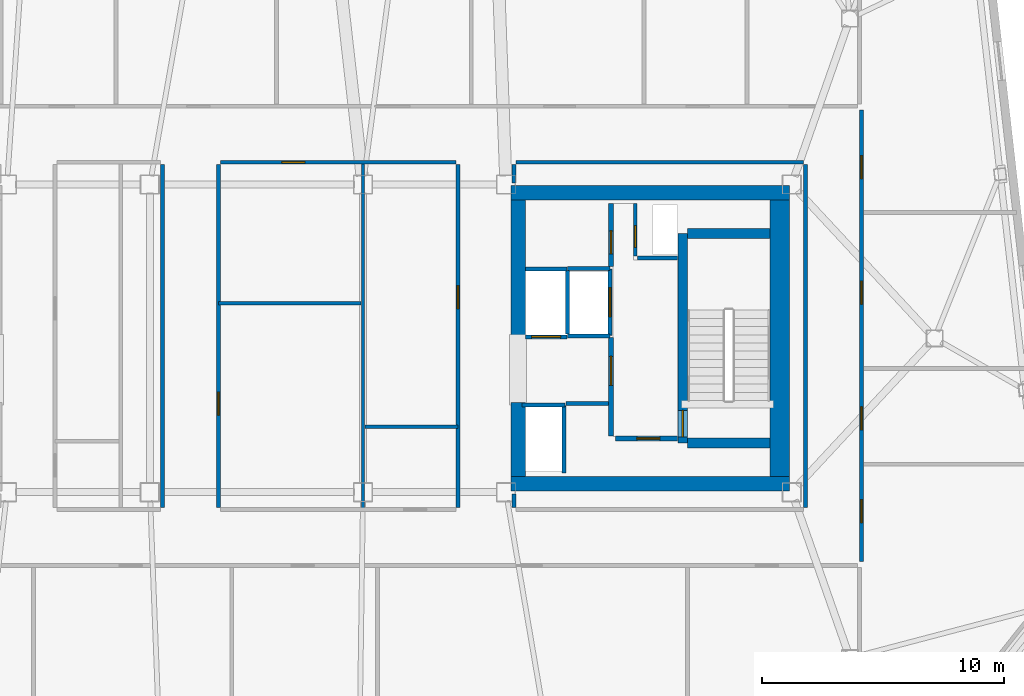
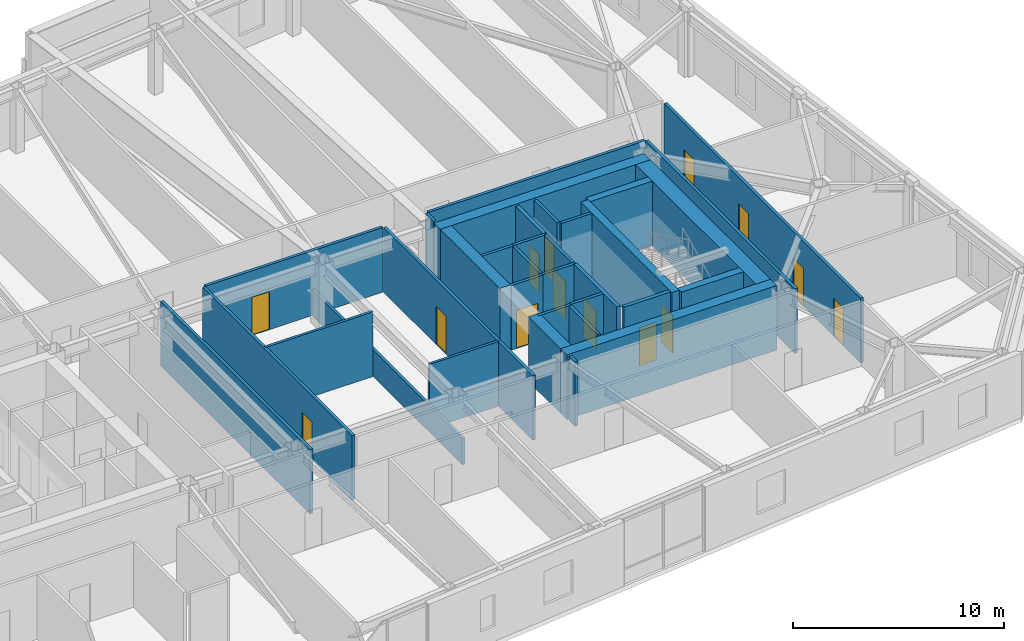
# One storey, part 14 of 19: 34 walls, 14 doors, 14 openings.
"""IFC4 building model written with IfcOpenShell, lengths in metres."""

import ifcopenshell
import ifcopenshell.guid

model = None  # the IFC model being written
_history = None  # IfcOwnerHistory: only IFC2X3 demands one
_inside = {}  # id of a spatial element -> (the spatial element, [elements in it])
_under = {}  # id of a project, library or spatial element -> (it, [spatial elements below it])
_declared = {}  # id of a project -> (the project, [libraries it declares])
_typed = {}  # id of a type object -> (the type object, [elements of that type])
_made_of = {}  # id of a material, layer set ... -> (it, [elements and type objects made of it])


def new_model(schema):
    """Start an empty IFC model of exactly this schema.

    Asked for "IFC4X3", IfcOpenShell would pick the latest addendum, in which some entities
    have other attributes; the version numbers below select the first issue.
    IFC2X3 requires an IfcOwnerHistory on every rooted entity: one is made here for all.
    """
    global model, _history
    if schema == "IFC4X3":
        model = ifcopenshell.file(schema_version=(4, 3, 0, 0))
    else:
        model = ifcopenshell.file(schema=schema)
    _inside.clear()
    _under.clear()
    _declared.clear()
    _typed.clear()
    _made_of.clear()
    _history = None
    if model.schema == "IFC2X3":
        org = make("IfcOrganization", Name="unknown")
        user = make(
            "IfcPersonAndOrganization",
            ThePerson=make("IfcPerson", FamilyName="unknown"),
            TheOrganization=org,
        )
        app = make(
            "IfcApplication",
            ApplicationDeveloper=org,
            Version="unknown",
            ApplicationFullName="unknown",
            ApplicationIdentifier="unknown",
        )
        _history = make(
            "IfcOwnerHistory",
            OwningUser=user,
            OwningApplication=app,
            ChangeAction="ADDED",
            CreationDate=0,
        )
    return model


def make(cls, **values):
    """One entity of the class cls with the attributes given. An attribute that is None is left unset."""
    return model.create_entity(
        cls, **{name: value for name, value in values.items() if value is not None}
    )


def rooted(cls, **values):
    """An entity with a GlobalId (a new one), such as an element, a storey or a relation."""
    return make(cls, GlobalId=ifcopenshell.guid.new(), OwnerHistory=_history, **values)


def si_unit(unit_type, name, prefix=None):
    """IfcSIUnit, for example si_unit("LENGTHUNIT", "METRE", prefix="MILLI")."""
    return make("IfcSIUnit", UnitType=unit_type, Prefix=prefix, Name=name)


def assignment(units):
    """IfcUnitAssignment: the units of a project."""
    return None if units is None else make("IfcUnitAssignment", Units=units)


def point(xyz):
    """IfcCartesianPoint."""
    return None if xyz is None else make("IfcCartesianPoint", Coordinates=xyz)


def direction(xyz):
    """IfcDirection."""
    return None if xyz is None else make("IfcDirection", DirectionRatios=xyz)


def frame(location, z_axis=None, x_axis=None):
    """IfcAxis2Placement3D, a coordinate frame: its origin and axes. An axis left out is left unset."""
    return make(
        "IfcAxis2Placement3D",
        Location=point(location),
        Axis=direction(z_axis),
        RefDirection=direction(x_axis),
    )


def frame_2d(location, x_axis=None):
    """IfcAxis2Placement2D, a coordinate frame in the plane: its origin and x axis."""
    return make(
        "IfcAxis2Placement2D", Location=point(location), RefDirection=direction(x_axis)
    )


def origin():
    """The frame at (0, 0, 0) with its axes left unset."""
    return frame((0.0, 0.0, 0.0))


def place(relative_to, where):
    """IfcLocalPlacement: puts the frame where relative to a parent placement (None: the world)."""
    return make(
        "IfcLocalPlacement", PlacementRelTo=relative_to, RelativePlacement=where
    )


def context(
    kind, dimensions, precision=None, world=None, true_north=None, identifier=None
):
    """IfcGeometricRepresentationContext, for example the 3D "Model" context."""
    return make(
        "IfcGeometricRepresentationContext",
        ContextIdentifier=identifier,
        ContextType=kind,
        CoordinateSpaceDimension=dimensions,
        Precision=precision,
        WorldCoordinateSystem=world,
        TrueNorth=true_north,
    )


def subcontext(parent, identifier, kind, view, scale=None):
    """IfcGeometricRepresentationSubContext, for example "Body" below "Model"."""
    return make(
        "IfcGeometricRepresentationSubContext",
        ContextIdentifier=identifier,
        ContextType=kind,
        ParentContext=parent,
        TargetScale=scale,
        TargetView=view,
    )


def project(units=None, contexts=None):
    """IfcProject with its units and contexts."""
    return rooted(
        "IfcProject",
        Name="project",
        RepresentationContexts=contexts,
        UnitsInContext=assignment(units),
    )


def spatial(cls, under=None, at=None, **own):
    """A site, building, storey or space (cls), placed at a placement, below another one or the project."""
    s = rooted(cls, ObjectPlacement=at, **own)
    if under is not None:
        _under.setdefault(under.id(), (under, []))[1].append(s)
    return s


def profile(cls, at=None, kind="AREA", **sizes):
    """A parametric profile (cls). Its sizes go by their IFC names, for example OverallWidth=200.0."""
    return make(cls, ProfileType=kind, Position=at, **sizes)


def rectangle(**sizes):
    """IfcRectangleProfileDef."""
    return profile("IfcRectangleProfileDef", **sizes)


def extrude(swept, where, along, depth):
    """IfcExtrudedAreaSolid: the profile swept, set in the frame where, extruded along a direction by depth."""
    return make(
        "IfcExtrudedAreaSolid",
        SweptArea=swept,
        Position=where,
        ExtrudedDirection=direction(along),
        Depth=depth,
    )


def shape(context_of_items, identifier, shape_type, items):
    """IfcShapeRepresentation: the items that make up one representation, for example the "Body"."""
    return make(
        "IfcShapeRepresentation",
        ContextOfItems=context_of_items,
        RepresentationIdentifier=identifier,
        RepresentationType=shape_type,
        Items=items,
    )


def material(Name=None, Category=None):
    """IfcMaterial."""
    return make("IfcMaterial", Name=Name, Category=Category)


def layer(
    of_material, thickness, ventilated=None, Name=None, Category=None, Priority=None
):
    """IfcMaterialLayer: one layer of a wall or slab, of a material (None: an air gap)."""
    return make(
        "IfcMaterialLayer",
        Material=of_material,
        LayerThickness=thickness,
        IsVentilated=ventilated,
        Name=Name,
        Category=Category,
        Priority=Priority,
    )


def layer_set(layers, Name=None):
    """IfcMaterialLayerSet."""
    return make("IfcMaterialLayerSet", MaterialLayers=layers, LayerSetName=Name)


def made_of(thing, what):
    """Note that an element or type object is made of a material, layer set ...; save() writes the relation."""
    if what is not None:
        _made_of.setdefault(what.id(), (what, []))[1].append(thing)
    return thing


def type_object(cls, material=None, **own):
    """A type object (cls), such as IfcWallType, which elements share."""
    return made_of(rooted(cls, **own), material)


def element(
    cls,
    number,
    at=None,
    inside=None,
    cuts=None,
    type_object=None,
    material=None,
    context=None,
    identifier="Body",
    shape_type=None,
    held_by="IfcProductDefinitionShape",
    body=None,
    shapes=None,
    **own,
):
    """One element of the class cls, such as IfcWall. Its Tag is "e" and its number.

    at: its placement. inside: the storey or other place that contains it. cuts: it is an
    opening in that element (IfcRelVoidsElement). A single representation is given by context,
    identifier, shape_type and body (its items); several are given by shapes. held_by: the class
    of the entity that holds the representations. save() writes the other relations.
    """
    e = rooted(cls, Tag="e%d" % number, ObjectPlacement=at, **own)
    if body is not None:
        shapes = [shape(context, identifier, shape_type, body)]
    if shapes is not None:
        e.Representation = make(held_by, Representations=shapes)
    if inside is not None:
        _inside.setdefault(inside.id(), (inside, []))[1].append(e)
    if cuts is not None:
        rooted(
            "IfcRelVoidsElement", RelatingBuildingElement=cuts, RelatedOpeningElement=e
        )
    if type_object is not None:
        _typed.setdefault(type_object.id(), (type_object, []))[1].append(e)
    return made_of(e, material)


def fill(opening, filler):
    """IfcRelFillsElement: the door or window that sits in an opening."""
    return rooted(
        "IfcRelFillsElement",
        RelatingOpeningElement=opening,
        RelatedBuildingElement=filler,
    )


def aggregate(whole, parts):
    """IfcRelAggregates: a whole, such as a stair, and the parts it consists of."""
    return rooted("IfcRelAggregates", RelatingObject=whole, RelatedObjects=parts)


def save(model, path):
    """Write the relations noted so far, then the file.

    IfcRelAggregates (storeys below a building ...), IfcRelContainedInSpatialStructure (elements
    in a storey), IfcRelDefinesByType, IfcRelAssociatesMaterial and IfcRelDeclares: one each for
    every whole, place, type object, material and project.
    """
    for whole, parts in _under.values():
        aggregate(whole, parts)
    for where, things in _inside.values():
        rooted(
            "IfcRelContainedInSpatialStructure",
            RelatedElements=things,
            RelatingStructure=where,
        )
    for kind, things in _typed.values():
        rooted("IfcRelDefinesByType", RelatedObjects=things, RelatingType=kind)
    for what, things in _made_of.values():
        rooted("IfcRelAssociatesMaterial", RelatedObjects=things, RelatingMaterial=what)
    for by, libraries in _declared.values():
        rooted("IfcRelDeclares", RelatingContext=by, RelatedDefinitions=libraries)
    model.write(path)


model = new_model("IFC4")

# Units and contexts
model_context = context("Model", 3, precision=1e-05, world=origin(), true_north=direction((0.0, 1.0)))
body_context = subcontext(model_context, "Body", "Model", "MODEL_VIEW")
ifc_project = project(units=[si_unit("LENGTHUNIT", "METRE"), si_unit("AREAUNIT", "SQUARE_METRE"), si_unit("VOLUMEUNIT", "CUBIC_METRE"), si_unit("PLANEANGLEUNIT", "RADIAN"), si_unit("MASSUNIT", "GRAM", prefix="KILO")], contexts=[model_context])

# Site, building, storey
site_placement = place(None, origin())
site = spatial("IfcSite", under=ifc_project, at=site_placement, CompositionType="ELEMENT")
building_placement = place(site_placement, origin())
building = spatial("IfcBuilding", under=site, at=building_placement, Name="Tavrogorsk Clinical Tower", CompositionType="ELEMENT")
storey_placement = place(building_placement, frame((0.0, 0.0, 243.0)))
storey = spatial("IfcBuildingStorey", under=building, at=storey_placement, Name="L56", CompositionType="ELEMENT", Elevation=243.0)

# Wall, opening, door
ifc_material_1 = material(Name="Concrete B60", Category="concrete")
ifc_layer_1 = layer(ifc_material_1, 0.199951171875)
ifc_layer_set_1 = layer_set([ifc_layer_1], Name="Concrete B60")
wall_type_1 = type_object("IfcWallType", Name="CoreFireWall_200", PredefinedType="SOLIDWALL", material=ifc_layer_set_1)
wall_1_placement = place(storey_placement, frame((14.824951171875, -4.139892578125, 0.0), z_axis=(0.0, 0.0, 1.0), x_axis=(1.0, 0.0, 0.0)))
wall_1 = element("IfcWall", 1, at=wall_1_placement, inside=storey, type_object=wall_type_1, Name="L56 Core East South Core Room Fire Wall", PredefinedType="SOLIDWALL", context=body_context, shape_type="SweptSolid", body=[
    extrude(rectangle(XDim=2.554931640625, YDim=0.199951171875, at=frame_2d((1.27734375, 0.0))), origin(), (0.0, 0.0, 1.0), 3.739990234375),
])
opening_1_placement = place(wall_1_placement, frame((0.8798828125, 0.0, 0.0)))
opening_1 = element("IfcOpeningElement", 2, at=opening_1_placement, cuts=wall_1, Name="Opening ID-02", PredefinedType="OPENING", context=body_context, shape_type="SweptSolid", body=[
    extrude(rectangle(XDim=0.949951171875, YDim=2.199951171875, at=frame_2d((0.47509765625, 1.10009765625))), frame((0.0, 0.10986328125, 0.0), z_axis=(0.0, -1.0, 0.0), x_axis=(1.0, 0.0, 0.0)), (0.0, 0.0, 1.0), 0.219970703125),
])
ifc_material_2 = material(Name="Laminated timber leaf on aluminium frame", Category="wood")
door_type_1 = type_object("IfcDoorType", Name="InteriorDoor_ID02_950", OperationType="NOTDEFINED", PredefinedType="DOOR", material=ifc_material_2)
door_1_placement = place(opening_1_placement, origin())
door_1 = element("IfcDoor", 3, at=door_1_placement, inside=storey, type_object=door_type_1, Name="L56 Core East South Core Room Door", OperationType="SINGLE_SWING_RIGHT", OverallHeight=2.199951171875, OverallWidth=0.949951171875, PredefinedType="DOOR", context=body_context, shape_type="SweptSolid", body=[
    extrude(rectangle(XDim=0.949951171875, YDim=2.199951171875, at=frame_2d((0.47509765625, 1.10009765625))), frame((0.0, 0.02490234375, 0.0), z_axis=(0.0, -1.0, 0.0), x_axis=(1.0, 0.0, 0.0)), (0.0, 0.0, 1.0), 0.050048828125),
])
fill(opening_1, door_1)

wall_2_placement = place(storey_placement, frame((14.639892578125, 2.9599609375, 0.0), z_axis=(0.0, 0.0, 1.0), x_axis=(0.0, 1.0, 0.0)))
wall_2 = element("IfcWall", 4, at=wall_2_placement, inside=storey, type_object=wall_type_1, Name="L56 Core East North Core Room East Wall", PredefinedType="SOLIDWALL", context=body_context, shape_type="SweptSolid", body=[
    extrude(rectangle(XDim=2.60009765625, YDim=0.199951171875, at=frame_2d((1.300048828125, 0.0))), origin(), (0.0, 0.0, 1.0), 3.739990234375),
])
opening_2_placement = place(wall_2_placement, frame((0.52001953125, 0.0, 0.0)))
opening_2 = element("IfcOpeningElement", 5, at=opening_2_placement, cuts=wall_2, Name="Opening ID-02", PredefinedType="OPENING", context=body_context, shape_type="SweptSolid", body=[
    extrude(rectangle(XDim=0.949951171875, YDim=2.199951171875, at=frame_2d((0.47509765625, 1.10009765625))), frame((0.0, 0.10986328125, 0.0), z_axis=(0.0, -1.0, 0.0), x_axis=(1.0, 0.0, 0.0)), (0.0, 0.0, 1.0), 0.219970703125),
])
door_2_placement = place(opening_2_placement, origin())
door_2 = element("IfcDoor", 6, at=door_2_placement, inside=storey, type_object=door_type_1, Name="L56 Core East Core Telemetry Room Door", OperationType="SINGLE_SWING_LEFT", OverallHeight=2.199951171875, OverallWidth=0.949951171875, PredefinedType="DOOR", context=body_context, shape_type="SweptSolid", body=[
    extrude(rectangle(XDim=0.949951171875, YDim=2.199951171875, at=frame_2d((0.47509765625, 1.10009765625))), frame((0.0, 0.02490234375, 0.0), z_axis=(0.0, -1.0, 0.0), x_axis=(1.0, 0.0, 0.0)), (0.0, 0.0, 1.0), 0.050048828125),
])
fill(opening_2, door_2)

wall_3_placement = place(storey_placement, frame((14.639892578125, -4.034912109375, 0.0), z_axis=(0.0, 0.0, 1.0), x_axis=(0.0, 1.0, 0.0)))
wall_3 = element("IfcWall", 7, at=wall_3_placement, inside=storey, type_object=wall_type_1, Name="L56 Core East Firefighting Lobby Fire Wall", PredefinedType="SOLIDWALL", context=body_context, shape_type="SweptSolid", body=[
    extrude(rectangle(XDim=4.074951171875, YDim=0.199951171875, at=frame_2d((2.03759765625, 0.0))), origin(), (0.0, 0.0, 1.0), 3.739990234375),
])
opening_3_placement = place(wall_3_placement, frame((2.090087890625, 0.0, 0.0)))
opening_3 = element("IfcOpeningElement", 8, at=opening_3_placement, cuts=wall_3, Name="Opening FD-01", PredefinedType="OPENING", context=body_context, shape_type="SweptSolid", body=[
    extrude(rectangle(XDim=1.199951171875, YDim=2.199951171875, at=frame_2d((0.60009765625, 1.10009765625))), frame((0.0, 0.10986328125, 0.0), z_axis=(0.0, -1.0, 0.0), x_axis=(1.0, 0.0, 0.0)), (0.0, 0.0, 1.0), 0.219970703125),
])
ifc_material_3 = material(Name="Galvanised steel fire-rated door assembly", Category="steel")
door_type_2 = type_object("IfcDoorType", Name="FireDoor_FD01_1200", OperationType="NOTDEFINED", PredefinedType="DOOR", material=ifc_material_3)
door_3_placement = place(opening_3_placement, origin())
door_3 = element("IfcDoor", 9, at=door_3_placement, inside=storey, type_object=door_type_2, Name="L56 Core East Firefighting Lobby Entry Door", OperationType="SINGLE_SWING_RIGHT", OverallHeight=2.199951171875, OverallWidth=1.199951171875, PredefinedType="DOOR", context=body_context, shape_type="SweptSolid", body=[
    extrude(rectangle(XDim=1.199951171875, YDim=2.199951171875, at=frame_2d((0.60009765625, 1.10009765625))), frame((0.0, 0.02490234375, 0.0), z_axis=(0.0, -1.0, 0.0), x_axis=(1.0, 0.0, 0.0)), (0.0, 0.0, 1.0), 0.050048828125),
])
fill(opening_3, door_3)

# Walls
ifc_material_4 = material(Name="Lightweight concrete blockwork B15", Category="masonry")
ifc_layer_2 = layer(ifc_material_4, 0.139892578125)
ifc_layer_set_2 = layer_set([ifc_layer_2], Name="Lightweight concrete blockwork B15")
wall_type_2 = type_object("IfcWallType", Name="PartitionWall_140", PredefinedType="PARTITIONING", material=ifc_layer_set_2)
wall_4_placement = place(storey_placement, frame((4.39990234375, -7.06494140625, 0.0), z_axis=(0.0, 0.0, 1.0), x_axis=(0.0, 1.0, 0.0)))
element("IfcWall", 10, at=wall_4_placement, inside=storey, type_object=wall_type_2, Name="L56 Central Spine Partition 2", PredefinedType="PARTITIONING", context=body_context, shape_type="SweptSolid", body=[
    extrude(rectangle(XDim=14.329833984375, YDim=0.139892578125, at=frame_2d((7.1650390625, 0.0))), origin(), (0.0, 0.0, 1.0), 1.534912109375),
])
wall_5_placement = place(storey_placement, frame((-1.56494140625, 1.449951171875, 0.0), z_axis=(0.0, 0.0, 1.0), x_axis=(1.0, 0.0, 0.0)))
element("IfcWall", 11, at=wall_5_placement, inside=storey, type_object=wall_type_2, Name="L56 Central Spine Partition 3", PredefinedType="PARTITIONING", context=body_context, shape_type="SweptSolid", body=[
    extrude(rectangle(XDim=5.889892578125, YDim=0.139892578125, at=frame_2d((2.94482421875, 0.0))), origin(), (0.0, 0.0, 1.0), 3.739990234375),
])
wall_6_placement = place(storey_placement, frame((4.47509765625, -3.64990234375, 0.0), z_axis=(0.0, 0.0, 1.0), x_axis=(1.0, 0.0, 0.0)))
element("IfcWall", 12, at=wall_6_placement, inside=storey, type_object=wall_type_2, Name="L56 Central Spine Partition 5", PredefinedType="PARTITIONING", context=body_context, shape_type="SweptSolid", body=[
    extrude(rectangle(XDim=3.83984375, YDim=0.139892578125, at=frame_2d((1.919921875, 0.0))), origin(), (0.0, 0.0, 1.0), 3.739990234375),
])
ifc_material_5 = material(Name="Lightweight concrete blockwork B15", Category="masonry")
ifc_layer_3 = layer(ifc_material_5, 0.159912109375)
ifc_layer_set_3 = layer_set([ifc_layer_3], Name="Lightweight concrete blockwork B15")
wall_type_3 = type_object("IfcWallType", Name="PartitionWall_160", PredefinedType="PARTITIONING", material=ifc_layer_set_3)
wall_7_placement = place(storey_placement, frame((12.77490234375, -2.699951171875, 0.0), z_axis=(0.0, 0.0, 1.0), x_axis=(1.0, 0.0, 0.0)))
element("IfcWall", 13, at=wall_7_placement, inside=storey, type_object=wall_type_3, Name="L56 Core East Freed Low-Bank North Partition", PredefinedType="PARTITIONING", context=body_context, shape_type="SweptSolid", body=[
    extrude(rectangle(XDim=1.760009765625, YDim=0.159912109375, at=frame_2d((0.8798828125, 0.0))), origin(), (0.0, 0.0, 1.0), 3.739990234375),
])

# Wall, openings, doors
wall_8_placement = place(storey_placement, frame((24.97998046875, 9.4150390625, 0.0), z_axis=(0.0, 0.0, 1.0), x_axis=(0.0, -1.0, 0.0)))
wall_8 = element("IfcWall", 14, at=wall_8_placement, inside=storey, type_object=wall_type_3, Name="L56 Corridor Partition 03", PredefinedType="PARTITIONING", context=body_context, shape_type="SweptSolid", body=[
    extrude(rectangle(XDim=18.630126953125, YDim=0.159912109375, at=frame_2d((9.31494140625, 0.0))), origin(), (0.0, 0.0, 1.0), 3.739990234375),
])
opening_4_placement = place(wall_8_placement, frame((16.080810546875, 0.0, 0.0)))
opening_4 = element("IfcOpeningElement", 15, at=opening_4_placement, cuts=wall_8, Name="Opening ID-02", PredefinedType="OPENING", context=body_context, shape_type="SweptSolid", body=[
    extrude(rectangle(XDim=0.949951171875, YDim=2.199951171875, at=frame_2d((0.47509765625, 1.10009765625))), frame((0.0, 0.08984375, 0.0), z_axis=(0.0, -1.0, 0.0), x_axis=(1.0, 0.0, 0.0)), (0.0, 0.0, 1.0), 0.179931640625),
])
opening_5_placement = place(wall_8_placement, frame((12.25, 0.0, 0.0)))
opening_5 = element("IfcOpeningElement", 16, at=opening_5_placement, cuts=wall_8, Name="Opening ID-02", PredefinedType="OPENING", context=body_context, shape_type="SweptSolid", body=[
    extrude(rectangle(XDim=0.949951171875, YDim=2.199951171875, at=frame_2d((0.47509765625, 1.10009765625))), frame((0.0, 0.08984375, 0.0), z_axis=(0.0, -1.0, 0.0), x_axis=(1.0, 0.0, 0.0)), (0.0, 0.0, 1.0), 0.179931640625),
])
opening_6_placement = place(wall_8_placement, frame((7.050048828125, 0.0, 0.0)))
opening_6 = element("IfcOpeningElement", 17, at=opening_6_placement, cuts=wall_8, Name="Opening ID-02", PredefinedType="OPENING", context=body_context, shape_type="SweptSolid", body=[
    extrude(rectangle(XDim=0.949951171875, YDim=2.199951171875, at=frame_2d((0.47509765625, 1.10009765625))), frame((0.0, 0.08984375, 0.0), z_axis=(0.0, -1.0, 0.0), x_axis=(1.0, 0.0, 0.0)), (0.0, 0.0, 1.0), 0.179931640625),
])
opening_7_placement = place(wall_8_placement, frame((1.869140625, 0.0, 0.0)))
opening_7 = element("IfcOpeningElement", 18, at=opening_7_placement, cuts=wall_8, Name="Opening ID-02", PredefinedType="OPENING", context=body_context, shape_type="SweptSolid", body=[
    extrude(rectangle(XDim=0.949951171875, YDim=2.199951171875, at=frame_2d((0.47509765625, 1.10009765625))), frame((0.0, 0.08984375, 0.0), z_axis=(0.0, -1.0, 0.0), x_axis=(1.0, 0.0, 0.0)), (0.0, 0.0, 1.0), 0.179931640625),
])
door_4_placement = place(opening_4_placement, origin())
door_4 = element("IfcDoor", 19, at=door_4_placement, inside=storey, type_object=door_type_1, Name="L56 E Senior Clinician Suite 1 Door", OperationType="SINGLE_SWING_RIGHT", OverallHeight=2.199951171875, OverallWidth=0.949951171875, PredefinedType="DOOR", context=body_context, shape_type="SweptSolid", body=[
    extrude(rectangle(XDim=0.949951171875, YDim=2.199951171875, at=frame_2d((0.47509765625, 1.10009765625))), frame((0.0, 0.02490234375, 0.0), z_axis=(0.0, -1.0, 0.0), x_axis=(1.0, 0.0, 0.0)), (0.0, 0.0, 1.0), 0.050048828125),
])
fill(opening_4, door_4)
door_5_placement = place(opening_5_placement, origin())
door_5 = element("IfcDoor", 20, at=door_5_placement, inside=storey, type_object=door_type_1, Name="L56 E Multidisciplinary Seminar Suite 2 Door", OperationType="SINGLE_SWING_LEFT", OverallHeight=2.199951171875, OverallWidth=0.949951171875, PredefinedType="DOOR", context=body_context, shape_type="SweptSolid", body=[
    extrude(rectangle(XDim=0.949951171875, YDim=2.199951171875, at=frame_2d((0.47509765625, 1.10009765625))), frame((0.0, 0.02490234375, 0.0), z_axis=(0.0, -1.0, 0.0), x_axis=(1.0, 0.0, 0.0)), (0.0, 0.0, 1.0), 0.050048828125),
])
fill(opening_5, door_5)
door_6_placement = place(opening_6_placement, origin())
door_6 = element("IfcDoor", 21, at=door_6_placement, inside=storey, type_object=door_type_1, Name="L56 E Specialist Consultation Room 3 Door", OperationType="SINGLE_SWING_RIGHT", OverallHeight=2.199951171875, OverallWidth=0.949951171875, PredefinedType="DOOR", context=body_context, shape_type="SweptSolid", body=[
    extrude(rectangle(XDim=0.949951171875, YDim=2.199951171875, at=frame_2d((0.47509765625, 1.10009765625))), frame((0.0, 0.02490234375, 0.0), z_axis=(0.0, -1.0, 0.0), x_axis=(1.0, 0.0, 0.0)), (0.0, 0.0, 1.0), 0.050048828125),
])
fill(opening_6, door_6)
door_7_placement = place(opening_7_placement, origin())
door_7 = element("IfcDoor", 22, at=door_7_placement, inside=storey, type_object=door_type_1, Name="L56 E Clinical Fellows' Study 4 Door", OperationType="SINGLE_SWING_LEFT", OverallHeight=2.199951171875, OverallWidth=0.949951171875, PredefinedType="DOOR", context=body_context, shape_type="SweptSolid", body=[
    extrude(rectangle(XDim=0.949951171875, YDim=2.199951171875, at=frame_2d((0.47509765625, 1.10009765625))), frame((0.0, 0.02490234375, 0.0), z_axis=(0.0, -1.0, 0.0), x_axis=(1.0, 0.0, 0.0)), (0.0, 0.0, 1.0), 0.050048828125),
])
fill(opening_7, door_7)

# Walls
wall_9_placement = place(storey_placement, frame((22.5849609375, 7.27001953125, 0.0), z_axis=(0.0, 0.0, 1.0), x_axis=(-1.0, 0.0, 0.0)))
element("IfcWall", 23, at=wall_9_placement, inside=storey, type_object=wall_type_3, Name="L56 Corridor Partition 09", PredefinedType="PARTITIONING", context=body_context, shape_type="SweptSolid", body=[
    extrude(rectangle(XDim=11.869873046875, YDim=0.159912109375, at=frame_2d((5.93505859375, 0.0))), origin(), (0.0, 0.0, 1.0), 3.739990234375),
])
wall_10_placement = place(storey_placement, frame((10.6298828125, 7.18505859375, 0.0), z_axis=(0.0, 0.0, 1.0), x_axis=(0.0, -1.0, 0.0)))
element("IfcWall", 24, at=wall_10_placement, inside=storey, type_object=wall_type_3, Name="L56 Corridor Partition 10", PredefinedType="PARTITIONING", context=body_context, shape_type="SweptSolid", body=[
    extrude(rectangle(XDim=0.76513671875, YDim=0.159912109375, at=frame_2d((0.382568359375, 0.0))), origin(), (0.0, 0.0, 1.0), 3.739990234375),
])
wall_11_placement = place(storey_placement, frame((10.6298828125, -6.419921875, 0.0), z_axis=(0.0, 0.0, 1.0), x_axis=(0.0, -1.0, 0.0)))
element("IfcWall", 25, at=wall_11_placement, inside=storey, type_object=wall_type_3, Name="L56 Corridor Partition 11", PredefinedType="PARTITIONING", context=body_context, shape_type="SweptSolid", body=[
    extrude(rectangle(XDim=0.565185546875, YDim=0.159912109375, at=frame_2d((0.28271484375, 0.0))), origin(), (0.0, 0.0, 1.0), 3.739990234375),
])
wall_12_placement = place(storey_placement, frame((22.669921875, -6.985107421875, 0.0), z_axis=(0.0, 0.0, 1.0), x_axis=(0.0, 1.0, 0.0)))
element("IfcWall", 26, at=wall_12_placement, inside=storey, type_object=wall_type_3, Name="L56 Corridor Partition 13", PredefinedType="PARTITIONING", context=body_context, shape_type="SweptSolid", body=[
    extrude(rectangle(XDim=14.170166015625, YDim=0.159912109375, at=frame_2d((7.0849609375, 0.0))), origin(), (0.0, 0.0, 1.0), 3.739990234375),
])

# Wall, opening, door
wall_13_placement = place(storey_placement, frame((8.235107421875, 7.27001953125, 0.0), z_axis=(0.0, 0.0, 1.0), x_axis=(-1.0, 0.0, 0.0)))
wall_13 = element("IfcWall", 27, at=wall_13_placement, inside=storey, type_object=wall_type_3, Name="L56 Corridor Partition 14", PredefinedType="PARTITIONING", context=body_context, shape_type="SweptSolid", body=[
    extrude(rectangle(XDim=9.72021484375, YDim=0.159912109375, at=frame_2d((4.860107421875, 0.0))), origin(), (0.0, 0.0, 1.0), 3.739990234375),
])
opening_8_placement = place(wall_13_placement, frame((6.23583984375, 0.0, 0.0)))
opening_8 = element("IfcOpeningElement", 28, at=opening_8_placement, cuts=wall_13, Name="Opening ID-02", PredefinedType="OPENING", context=body_context, shape_type="SweptSolid", body=[
    extrude(rectangle(XDim=0.949951171875, YDim=2.199951171875, at=frame_2d((0.47509765625, 1.10009765625))), frame((0.0, 0.08984375, 0.0), z_axis=(0.0, -1.0, 0.0), x_axis=(1.0, 0.0, 0.0)), (0.0, 0.0, 1.0), 0.179931640625),
])
door_8_placement = place(opening_8_placement, origin())
door_8 = element("IfcDoor", 29, at=door_8_placement, inside=storey, type_object=door_type_1, Name="L56 Nurses' Station & Triage Hub Door", OperationType="SINGLE_SWING_LEFT", OverallHeight=2.199951171875, OverallWidth=0.949951171875, PredefinedType="DOOR", context=body_context, shape_type="SweptSolid", body=[
    extrude(rectangle(XDim=0.949951171875, YDim=2.199951171875, at=frame_2d((0.47509765625, 1.10009765625))), frame((0.0, 0.02490234375, 0.0), z_axis=(0.0, -1.0, 0.0), x_axis=(1.0, 0.0, 0.0)), (0.0, 0.0, 1.0), 0.050048828125),
])
fill(opening_8, door_8)

wall_14_placement = place(storey_placement, frame((-1.570068359375, 7.18505859375, 0.0), z_axis=(0.0, 0.0, 1.0), x_axis=(0.0, -1.0, 0.0)))
wall_14 = element("IfcWall", 30, at=wall_14_placement, inside=storey, type_object=wall_type_3, Name="L56 Corridor Partition 15", PredefinedType="PARTITIONING", context=body_context, shape_type="SweptSolid", body=[
    extrude(rectangle(XDim=14.170166015625, YDim=0.159912109375, at=frame_2d((7.0849609375, 0.0))), origin(), (0.0, 0.0, 1.0), 3.739990234375),
])
opening_9_placement = place(wall_14_placement, frame((9.410888671875, 0.0, 0.0)))
opening_9 = element("IfcOpeningElement", 31, at=opening_9_placement, cuts=wall_14, Name="Opening ID-02", PredefinedType="OPENING", context=body_context, shape_type="SweptSolid", body=[
    extrude(rectangle(XDim=0.949951171875, YDim=2.199951171875, at=frame_2d((0.47509765625, 1.10009765625))), frame((0.0, 0.08984375, 0.0), z_axis=(0.0, -1.0, 0.0), x_axis=(1.0, 0.0, 0.0)), (0.0, 0.0, 1.0), 0.179931640625),
])
door_9_placement = place(opening_9_placement, origin())
door_9 = element("IfcDoor", 32, at=door_9_placement, inside=storey, type_object=door_type_1, Name="L56 Multidisciplinary Conference Room Door", OperationType="SINGLE_SWING_RIGHT", OverallHeight=2.199951171875, OverallWidth=0.949951171875, PredefinedType="DOOR", context=body_context, shape_type="SweptSolid", body=[
    extrude(rectangle(XDim=0.949951171875, YDim=2.199951171875, at=frame_2d((0.47509765625, 1.10009765625))), frame((0.0, 0.02490234375, 0.0), z_axis=(0.0, -1.0, 0.0), x_axis=(1.0, 0.0, 0.0)), (0.0, 0.0, 1.0), 0.050048828125),
])
fill(opening_9, door_9)

wall_15_placement = place(storey_placement, frame((8.320068359375, -6.985107421875, 0.0), z_axis=(0.0, 0.0, 1.0), x_axis=(0.0, 1.0, 0.0)))
wall_15 = element("IfcWall", 33, at=wall_15_placement, inside=storey, type_object=wall_type_3, Name="L56 Corridor Partition 17", PredefinedType="PARTITIONING", context=body_context, shape_type="SweptSolid", body=[
    extrude(rectangle(XDim=14.170166015625, YDim=0.159912109375, at=frame_2d((7.0849609375, 0.0))), origin(), (0.0, 0.0, 1.0), 3.739990234375),
])
opening_10_placement = place(wall_15_placement, frame((8.2109375, 0.0, 0.0)))
opening_10 = element("IfcOpeningElement", 34, at=opening_10_placement, cuts=wall_15, Name="Opening ID-02", PredefinedType="OPENING", context=body_context, shape_type="SweptSolid", body=[
    extrude(rectangle(XDim=0.949951171875, YDim=2.199951171875, at=frame_2d((0.47509765625, 1.10009765625))), frame((0.0, 0.08984375, 0.0), z_axis=(0.0, -1.0, 0.0), x_axis=(1.0, 0.0, 0.0)), (0.0, 0.0, 1.0), 0.179931640625),
])
door_10_placement = place(opening_10_placement, origin())
door_10 = element("IfcDoor", 35, at=door_10_placement, inside=storey, type_object=door_type_1, Name="L56 Attending Physician Office Door", OperationType="SINGLE_SWING_LEFT", OverallHeight=2.199951171875, OverallWidth=0.949951171875, PredefinedType="DOOR", context=body_context, shape_type="SweptSolid", body=[
    extrude(rectangle(XDim=0.949951171875, YDim=2.199951171875, at=frame_2d((0.47509765625, 1.10009765625))), frame((0.0, 0.02490234375, 0.0), z_axis=(0.0, -1.0, 0.0), x_axis=(1.0, 0.0, 0.0)), (0.0, 0.0, 1.0), 0.050048828125),
])
fill(opening_10, door_10)

# Wall
wall_16_placement = place(storey_placement, frame((-3.8798828125, -6.985107421875, 0.0), z_axis=(0.0, 0.0, 1.0), x_axis=(0.0, 1.0, 0.0)))
element("IfcWall", 36, at=wall_16_placement, inside=storey, type_object=wall_type_3, Name="L56 Corridor Partition 18", PredefinedType="PARTITIONING", context=body_context, shape_type="SweptSolid", body=[
    extrude(rectangle(XDim=14.170166015625, YDim=0.159912109375, at=frame_2d((7.0849609375, 0.0))), origin(), (0.0, 0.0, 1.0), 3.739990234375),
])

# Wall, opening, door
ifc_material_6 = material(Name="Lightweight concrete blockwork B25", Category="masonry")
ifc_layer_4 = layer(ifc_material_6, 0.159912109375)
ifc_layer_set_4 = layer_set([ifc_layer_4], Name="Lightweight concrete blockwork B25")
wall_type_4 = type_object("IfcWallType", Name="ShaftWall_160", PredefinedType="PARTITIONING", material=ifc_layer_set_4)
wall_17_placement = place(storey_placement, frame((14.60009765625, 0.1201171875, 0.0), z_axis=(0.0, 0.0, 1.0), x_axis=(0.0, 1.0, 0.0)))
wall_17 = element("IfcWall", 37, at=wall_17_placement, inside=storey, type_object=wall_type_4, Name="L56 FFL-E Firefighting Lift Front Wall", PredefinedType="PARTITIONING", context=body_context, shape_type="SweptSolid", body=[
    extrude(rectangle(XDim=2.739990234375, YDim=0.159912109375, at=frame_2d((1.3701171875, 0.0))), origin(), (0.0, 0.0, 1.0), 3.739990234375),
])
opening_11_placement = place(wall_17_placement, frame((0.77001953125, 0.0, 0.0)))
opening_11 = element("IfcOpeningElement", 38, at=opening_11_placement, cuts=wall_17, Name="Opening LD", PredefinedType="OPENING", context=body_context, shape_type="SweptSolid", body=[
    extrude(rectangle(XDim=1.199951171875, YDim=2.199951171875, at=frame_2d((0.60009765625, 1.10009765625))), frame((0.0, 0.08984375, 0.0), z_axis=(0.0, -1.0, 0.0), x_axis=(1.0, 0.0, 0.0)), (0.0, 0.0, 1.0), 0.179931640625),
])
ifc_material_7 = material(Name="Brushed stainless steel AISI 304 sliding doors", Category="steel")
door_type_3 = type_object("IfcDoorType", Name="LiftLandingDoor_LD_1200", OperationType="SLIDING_TO_LEFT", PredefinedType="DOOR", material=ifc_material_7)
door_11_placement = place(opening_11_placement, origin())
door_11 = element("IfcDoor", 39, at=door_11_placement, inside=storey, type_object=door_type_3, Name="L56 FFL-E Sliding Lift Landing Door", OperationType="SLIDING_TO_LEFT", OverallHeight=2.199951171875, OverallWidth=1.199951171875, PredefinedType="DOOR", context=body_context, shape_type="SweptSolid", body=[
    extrude(rectangle(XDim=1.199951171875, YDim=2.199951171875, at=frame_2d((0.60009765625, 1.10009765625))), frame((0.0, 0.02490234375, 0.0), z_axis=(0.0, -1.0, 0.0), x_axis=(1.0, 0.0, 0.0)), (0.0, 0.0, 1.0), 0.050048828125),
])
fill(opening_11, door_11)

# Walls
for number, where, z_axis, x_axis, name in (
    (40, (12.840087890625, 0.10009765625, 0.0), (0.0, 0.0, 1.0), (1.0, 0.0, 0.0), "L56 FFL-E Shaft South Wall"),
    (41, (12.840087890625, 2.8798828125, 0.0), (0.0, 0.0, 1.0), (1.0, 0.0, 0.0), "L56 FFL-E Shaft North Wall"),
):
    element("IfcWall", number, at=place(storey_placement, frame(where, z_axis=z_axis, x_axis=x_axis)), inside=storey, type_object=wall_type_4, Name=name, PredefinedType="PARTITIONING", context=body_context, shape_type="SweptSolid", body=[
        extrude(rectangle(XDim=1.760009765625, YDim=0.159912109375, at=frame_2d((0.8798828125, 0.0))), origin(), (0.0, 0.0, 1.0), 3.739990234375),
    ])
wall_18_placement = place(storey_placement, frame((12.840087890625, 0.179931640625, 0.0), z_axis=(0.0, 0.0, 1.0), x_axis=(0.0, 1.0, 0.0)))
element("IfcWall", 42, at=wall_18_placement, inside=storey, type_object=wall_type_4, Name="L56 FFL-E Shaft Back Wall", PredefinedType="PARTITIONING", context=body_context, shape_type="SweptSolid", body=[
    extrude(rectangle(XDim=2.6201171875, YDim=0.159912109375, at=frame_2d((1.31005859375, 0.0))), origin(), (0.0, 0.0, 1.0), 3.739990234375),
])
wall_19_placement = place(storey_placement, frame((10.969970703125, -2.75, 0.0), z_axis=(0.0, 0.0, 1.0), x_axis=(1.0, 0.0, 0.0)))
element("IfcWall", 43, at=wall_19_placement, inside=storey, type_object=wall_type_4, Name="L56 LP-M2 Lift Shaft Portal Wall", PredefinedType="PARTITIONING", context=body_context, shape_type="SweptSolid", body=[
    extrude(rectangle(XDim=1.760009765625, YDim=0.159912109375, at=frame_2d((0.8798828125, 0.0))), origin(), (0.0, 0.0, 1.0), 3.739990234375),
])

# Wall, opening, door
wall_20_placement = place(storey_placement, frame((11.10009765625, 0.06005859375, 0.0), z_axis=(0.0, 0.0, 1.0), x_axis=(1.0, 0.0, 0.0)))
wall_20 = element("IfcWall", 44, at=wall_20_placement, inside=storey, type_object=wall_type_4, Name="L56 LP-H2 High-Zone Lift Portal Wall", PredefinedType="PARTITIONING", context=body_context, shape_type="SweptSolid", body=[
    extrude(rectangle(XDim=1.719970703125, YDim=0.159912109375, at=frame_2d((0.85986328125, 0.0))), origin(), (0.0, 0.0, 1.0), 3.739990234375),
])
opening_12_placement = place(wall_20_placement, frame((0.260009765625, 0.0, 0.0)))
opening_12 = element("IfcOpeningElement", 45, at=opening_12_placement, cuts=wall_20, Name="Opening LD", PredefinedType="OPENING", context=body_context, shape_type="SweptSolid", body=[
    extrude(rectangle(XDim=1.199951171875, YDim=2.199951171875, at=frame_2d((0.60009765625, 1.10009765625))), frame((0.0, 0.08984375, 0.0), z_axis=(0.0, -1.0, 0.0), x_axis=(1.0, 0.0, 0.0)), (0.0, 0.0, 1.0), 0.179931640625),
])
door_12_placement = place(opening_12_placement, origin())
door_12 = element("IfcDoor", 46, at=door_12_placement, inside=storey, type_object=door_type_3, Name="L56 LP-H2 Sliding Lift Landing Door", OperationType="SLIDING_TO_LEFT", OverallHeight=2.199951171875, OverallWidth=1.199951171875, PredefinedType="DOOR", context=body_context, shape_type="SweptSolid", body=[
    extrude(rectangle(XDim=1.199951171875, YDim=2.199951171875, at=frame_2d((0.60009765625, 1.10009765625))), frame((0.0, 0.02490234375, 0.0), z_axis=(0.0, -1.0, 0.0), x_axis=(1.0, 0.0, 0.0)), (0.0, 0.0, 1.0), 0.050048828125),
])
fill(opening_12, door_12)

# Wall
wall_21_placement = place(storey_placement, frame((11.10009765625, 2.860107421875, 0.0), z_axis=(0.0, 0.0, 1.0), x_axis=(1.0, 0.0, 0.0)))
element("IfcWall", 47, at=wall_21_placement, inside=storey, type_object=wall_type_4, Name="L56 LP-H2 High-Zone Lift Rear Wall", PredefinedType="PARTITIONING", context=body_context, shape_type="SweptSolid", body=[
    extrude(rectangle(XDim=1.719970703125, YDim=0.159912109375, at=frame_2d((0.85986328125, 0.0))), origin(), (0.0, 0.0, 1.0), 3.739990234375),
])

# Wall, opening, door
wall_22_placement = place(storey_placement, frame((15.639892578125, 3.405029296875, 0.0), z_axis=(0.0, 0.0, 1.0), x_axis=(0.0, 1.0, 0.0)))
wall_22 = element("IfcWall", 48, at=wall_22_placement, inside=storey, type_object=wall_type_4, Name="L56 Core East Riser West Wall", PredefinedType="PARTITIONING", context=body_context, shape_type="SweptSolid", body=[
    extrude(rectangle(XDim=2.155029296875, YDim=0.159912109375, at=frame_2d((1.07763671875, 0.0))), origin(), (0.0, 0.0, 1.0), 3.739990234375),
])
opening_13_placement = place(wall_22_placement, frame((0.35009765625, 0.0, 0.0)))
opening_13 = element("IfcOpeningElement", 49, at=opening_13_placement, cuts=wall_22, Name="Opening FD-02", PredefinedType="OPENING", context=body_context, shape_type="SweptSolid", body=[
    extrude(rectangle(XDim=0.89990234375, YDim=2.199951171875, at=frame_2d((0.449951171875, 1.10009765625))), frame((0.0, 0.08984375, 0.0), z_axis=(0.0, -1.0, 0.0), x_axis=(1.0, 0.0, 0.0)), (0.0, 0.0, 1.0), 0.179931640625),
])
ifc_material_8 = material(Name="Galvanised steel fire-rated door assembly", Category="steel")
door_type_4 = type_object("IfcDoorType", Name="FireDoor_FD02_900", OperationType="NOTDEFINED", PredefinedType="DOOR", material=ifc_material_8)
door_13_placement = place(opening_13_placement, origin())
door_13 = element("IfcDoor", 50, at=door_13_placement, inside=storey, type_object=door_type_4, Name="L56 Core East Electrical Riser Access Door", OperationType="SINGLE_SWING_LEFT", OverallHeight=2.199951171875, OverallWidth=0.89990234375, PredefinedType="DOOR", context=body_context, shape_type="SweptSolid", body=[
    extrude(rectangle(XDim=0.89990234375, YDim=2.199951171875, at=frame_2d((0.449951171875, 1.10009765625))), frame((0.0, 0.02490234375, 0.0), z_axis=(0.0, -1.0, 0.0), x_axis=(1.0, 0.0, 0.0)), (0.0, 0.0, 1.0), 0.050048828125),
])
fill(opening_13, door_13)

# Walls
wall_23_placement = place(storey_placement, frame((15.72509765625, 3.320068359375, 0.0), z_axis=(0.0, 0.0, 1.0), x_axis=(1.0, 0.0, 0.0)))
element("IfcWall", 51, at=wall_23_placement, inside=storey, type_object=wall_type_4, Name="L56 Core East Riser South Wall", PredefinedType="PARTITIONING", context=body_context, shape_type="SweptSolid", body=[
    extrude(rectangle(XDim=1.65478515625, YDim=0.159912109375, at=frame_2d((0.827392578125, 0.0))), origin(), (0.0, 0.0, 1.0), 3.739990234375),
])
wall_24_placement = place(storey_placement, frame((12.68994140625, -5.56005859375, 0.0), z_axis=(0.0, 0.0, 1.0), x_axis=(0.0, 1.0, 0.0)))
element("IfcWall", 52, at=wall_24_placement, inside=storey, type_object=wall_type_4, Name="L56 Core East Freed Low-Bank Shaft Divider", PredefinedType="PARTITIONING", context=body_context, shape_type="SweptSolid", body=[
    extrude(rectangle(XDim=2.775146484375, YDim=0.159912109375, at=frame_2d((1.3876953125, 0.0))), origin(), (0.0, 0.0, 1.0), 3.739990234375),
])

# Wall, opening, door
ifc_material_9 = material(Name="Concrete B80", Category="concrete")
ifc_layer_5 = layer(ifc_material_9, 0.39990234375)
ifc_layer_set_5 = layer_set([ifc_layer_5], Name="Concrete B80")
wall_type_5 = type_object("IfcWallType", Name="ShearWall_400", PredefinedType="SHEAR", material=ifc_layer_set_5)
wall_25_placement = place(storey_placement, frame((17.60009765625, -4.324951171875, 0.0), z_axis=(0.0, 0.0, 1.0), x_axis=(0.0, 1.0, 0.0)))
wall_25 = element("IfcWall", 53, at=wall_25_placement, inside=storey, type_object=wall_type_5, Name="L56 Core East Stair Shaft Inner Shear Wall", PredefinedType="SHEAR", context=body_context, shape_type="SweptSolid", body=[
    extrude(rectangle(XDim=8.64990234375, YDim=0.39990234375, at=frame_2d((4.324951171875, 0.0))), origin(), (0.0, 0.0, 1.0), 3.739990234375),
])
opening_14_placement = place(wall_25_placement, frame((0.25, 0.0, 0.0)))
opening_14 = element("IfcOpeningElement", 54, at=opening_14_placement, cuts=wall_25, Name="Opening SD-01", PredefinedType="OPENING", context=body_context, shape_type="SweptSolid", body=[
    extrude(rectangle(XDim=1.10009765625, YDim=2.199951171875, at=frame_2d((0.550048828125, 1.10009765625))), frame((0.0, 0.2099609375, 0.0), z_axis=(0.0, -1.0, 0.0), x_axis=(1.0, 0.0, 0.0)), (0.0, 0.0, 1.0), 0.419921875),
])
ifc_material_10 = material(Name="Galvanised steel smoke-tight fire door assembly", Category="steel")
door_type_5 = type_object("IfcDoorType", Name="StairFireDoor_SD01_1100", OperationType="NOTDEFINED", PredefinedType="DOOR", material=ifc_material_10)
door_14_placement = place(opening_14_placement, origin())
door_14 = element("IfcDoor", 55, at=door_14_placement, inside=storey, type_object=door_type_5, Name="L56 ST-E Exit Stair Door", OperationType="SINGLE_SWING_RIGHT", OverallHeight=2.199951171875, OverallWidth=1.10009765625, PredefinedType="DOOR", context=body_context, shape_type="SweptSolid", body=[
    extrude(rectangle(XDim=1.10009765625, YDim=2.199951171875, at=frame_2d((0.550048828125, 1.10009765625))), frame((0.0, 0.02490234375, 0.0), z_axis=(0.0, -1.0, 0.0), x_axis=(1.0, 0.0, 0.0)), (0.0, 0.0, 1.0), 0.050048828125),
])
fill(opening_14, door_14)

# Walls
for number, where, z_axis, x_axis, name in (
    (56, (17.800048828125, -4.324951171875, 0.0), (0.0, 0.0, 1.0), (1.0, 0.0, 0.0), "L56 Core East Stair Shaft South Shear Wall"),
    (57, (17.800048828125, 4.324951171875, 0.0), (0.0, 0.0, 1.0), (1.0, 0.0, 0.0), "L56 Core East Stair Shaft North Shear Wall"),
):
    element("IfcWall", number, at=place(storey_placement, frame(where, z_axis=z_axis, x_axis=x_axis)), inside=storey, type_object=wall_type_5, Name=name, PredefinedType="SHEAR", context=body_context, shape_type="SweptSolid", body=[
        extrude(rectangle(XDim=3.39990234375, YDim=0.39990234375, at=frame_2d((1.699951171875, 0.0))), origin(), (0.0, 0.0, 1.0), 3.739990234375),
    ])
ifc_material_11 = material(Name="Concrete B80", Category="concrete")
ifc_layer_6 = layer(ifc_material_11, 0.60009765625)
ifc_layer_set_6 = layer_set([ifc_layer_6], Name="Concrete B80")
wall_type_6 = type_object("IfcWallType", Name="ShearWall_600", PredefinedType="SHEAR", material=ifc_layer_set_6)
for number, where, z_axis, x_axis, name in (
    (58, (10.5, 6.0, 0.0), (0.0, 0.0, 1.0), (1.0, 0.0, 0.0), "L56 Core East North Shear Wall"),
    (59, (10.5, -6.0, 0.0), (0.0, 0.0, 1.0), (1.0, 0.0, 0.0), "L56 Core East South Shear Wall"),
):
    element("IfcWall", number, at=place(storey_placement, frame(where, z_axis=z_axis, x_axis=x_axis)), inside=storey, type_object=wall_type_6, Name=name, PredefinedType="SHEAR", context=body_context, shape_type="SweptSolid", body=[
        extrude(rectangle(XDim=11.5, YDim=0.60009765625, at=frame_2d((5.75, 0.0))), origin(), (0.0, 0.0, 1.0), 3.739990234375),
    ])
wall_26_placement = place(storey_placement, frame((10.800048828125, -5.699951171875, 0.0), z_axis=(0.0, 0.0, 1.0), x_axis=(0.0, 1.0, 0.0)))
element("IfcWall", 60, at=wall_26_placement, inside=storey, type_object=wall_type_6, Name="L56 Core East Inner South Pier", PredefinedType="SHEAR", context=body_context, shape_type="SweptSolid", body=[
    extrude(rectangle(XDim=3.050048828125, YDim=0.60009765625, at=frame_2d((1.52490234375, 0.0))), origin(), (0.0, 0.0, 1.0), 3.739990234375),
])
wall_27_placement = place(storey_placement, frame((10.800048828125, 0.050048828125, 0.0), z_axis=(0.0, 0.0, 1.0), x_axis=(0.0, 1.0, 0.0)))
element("IfcWall", 61, at=wall_27_placement, inside=storey, type_object=wall_type_6, Name="L56 Core East Inner North Pier", PredefinedType="SHEAR", context=body_context, shape_type="SweptSolid", body=[
    extrude(rectangle(XDim=5.64990234375, YDim=0.60009765625, at=frame_2d((2.824951171875, 0.0))), origin(), (0.0, 0.0, 1.0), 3.739990234375),
])
ifc_material_12 = material(Name="Concrete B80", Category="concrete")
ifc_layer_7 = layer(ifc_material_12, 0.800048828125)
ifc_layer_set_7 = layer_set([ifc_layer_7], Name="Concrete B80")
wall_type_7 = type_object("IfcWallType", Name="ShearWall_800", PredefinedType="SHEAR", material=ifc_layer_set_7)
wall_28_placement = place(storey_placement, frame((21.60009765625, -5.699951171875, 0.0), z_axis=(0.0, 0.0, 1.0), x_axis=(0.0, 1.0, 0.0)))
element("IfcWall", 62, at=wall_28_placement, inside=storey, type_object=wall_type_7, Name="L56 Core East End Shear Wall", PredefinedType="SHEAR", context=body_context, shape_type="SweptSolid", body=[
    extrude(rectangle(XDim=11.39990234375, YDim=0.800048828125, at=frame_2d((5.699951171875, 0.0))), origin(), (0.0, 0.0, 1.0), 3.739990234375),
])

save(model, "model.ifc")
